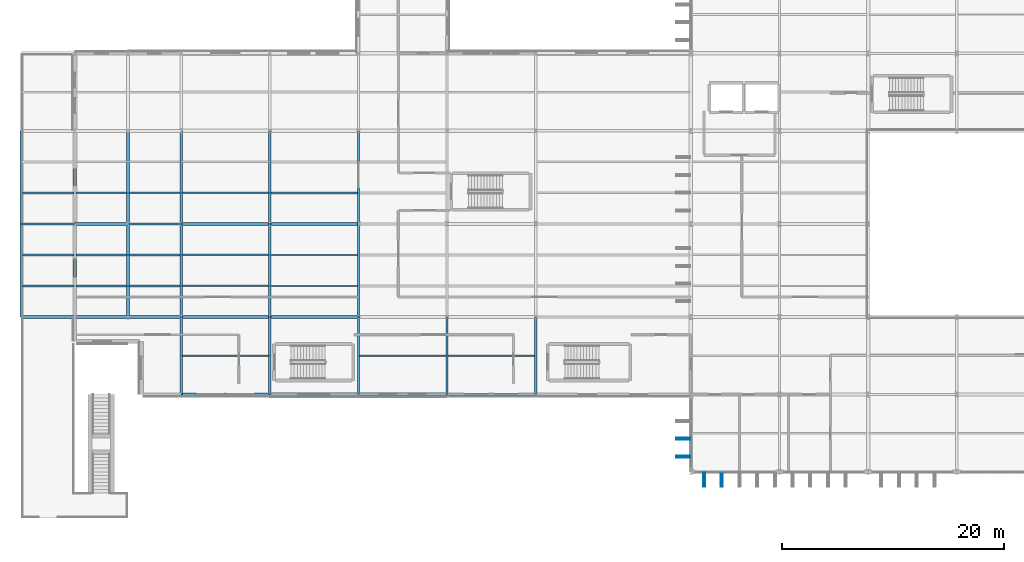
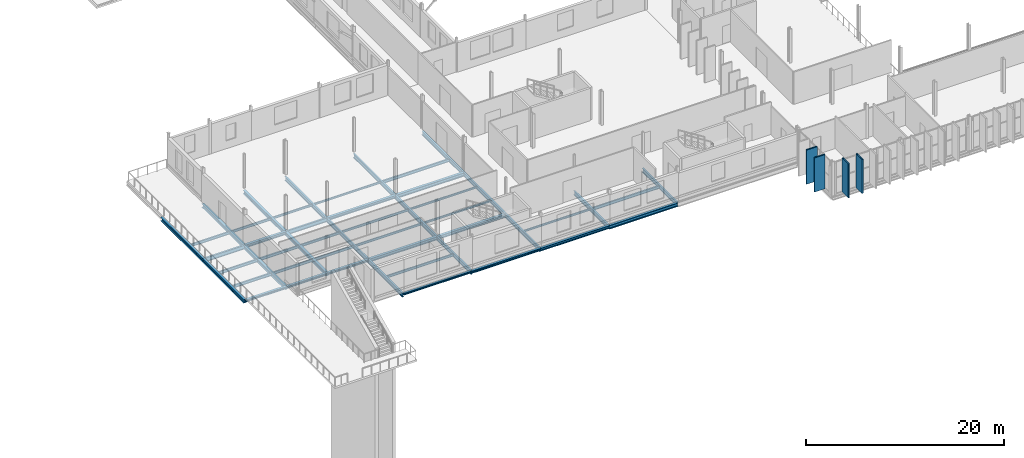
# One storey, part 17 of 101: 49 beams, 4 members.
"""IFC4 building model written with IfcOpenShell, lengths in metres."""

from ifc_helpers import new_model, si_unit, direction, frame, origin, origin_2d, place, context, subcontext, project, spatial, hollow_rectangle, i_section, extrude, material, material_profile, profile_set, type_object, element, save


model = new_model("IFC4")

# Units and contexts
model_context = context("Model", 3, precision=1e-05, world=origin(), true_north=direction((0.0, 1.0)))
body_context = subcontext(model_context, "Body", "Model", "MODEL_VIEW")
ifc_project = project(units=[si_unit("LENGTHUNIT", "METRE"), si_unit("AREAUNIT", "SQUARE_METRE"), si_unit("VOLUMEUNIT", "CUBIC_METRE"), si_unit("PLANEANGLEUNIT", "RADIAN"), si_unit("MASSUNIT", "GRAM", prefix="KILO")], contexts=[model_context])

# Site, building, storey
site_placement = place(None, origin())
site = spatial("IfcSite", under=ifc_project, at=site_placement, CompositionType="ELEMENT")
building_placement = place(site_placement, origin())
building = spatial("IfcBuilding", under=site, at=building_placement, Name="Vekula Escarpment Museum", CompositionType="ELEMENT")
storey_placement = place(building_placement, frame((0.0, 0.0, 18.0)))
storey = spatial("IfcBuildingStorey", under=building, at=storey_placement, Name="L04", CompositionType="ELEMENT", Elevation=18.0)

# Beams
ifc_material_1 = material(Name="Steel S355", Category="steel")
ifc_material_profile_1 = material_profile(ifc_material_1, i_section(OverallWidth=0.300048828125, OverallDepth=0.300048828125, WebThickness=0.010986328125, FlangeThickness=0.01904296875, FilletRadius=0.027099609375, at=origin_2d()), Name="HEB 300")
ifc_profile_set_1 = profile_set([ifc_material_profile_1], Name="Steel S355")
beam_type_1 = type_object("IfcBeamType", Name="BM-GIRD-HEB300", PredefinedType="BEAM", material=ifc_profile_set_1)
beam_1_placement = place(storey_placement, frame((32.0, 52.60009765625, -0.389892578125), z_axis=(1.0, 0.0, 0.0), x_axis=(0.0, 1.0, 0.0)))
element("IfcBeam", 1, at=beam_1_placement, inside=storey, type_object=beam_type_1, Name="Beam X L04 1691", PredefinedType="BEAM", context=body_context, shape_type="SweptSolid", body=[
    extrude(i_section(OverallWidth=0.300048828125, OverallDepth=0.300048828125, WebThickness=0.010986328125, FlangeThickness=0.01904296875, FilletRadius=0.027099609375, at=origin_2d()), origin(), (0.0, 0.0, 1.0), 8.0),
])
ifc_material_2 = material(Name="Steel S355", Category="steel")
ifc_material_profile_2 = material_profile(ifc_material_2, i_section(OverallWidth=0.300048828125, OverallDepth=0.360107421875, WebThickness=0.012451171875, FlangeThickness=0.0224609375, FilletRadius=0.027099609375, at=origin_2d()), Name="HEB 360")
ifc_profile_set_2 = profile_set([ifc_material_profile_2], Name="Steel S355")
beam_type_2 = type_object("IfcBeamType", Name="BM-GIRD-HEB360", PredefinedType="BEAM", material=ifc_profile_set_2)
beam_2_placement = place(storey_placement, frame((40.0, 52.60009765625, -0.419921875), z_axis=(1.0, 0.0, 0.0), x_axis=(0.0, 1.0, 0.0)))
element("IfcBeam", 2, at=beam_2_placement, inside=storey, type_object=beam_type_2, Name="Beam X L04 1692", PredefinedType="BEAM", context=body_context, shape_type="SweptSolid", body=[
    extrude(i_section(OverallWidth=0.300048828125, OverallDepth=0.360107421875, WebThickness=0.012451171875, FlangeThickness=0.0224609375, FilletRadius=0.027099609375, at=origin_2d()), origin(), (0.0, 0.0, 1.0), 8.0),
])
beam_3_placement = place(storey_placement, frame((14.39990234375, 68.0, -0.419921875), z_axis=(1.0, 0.0, 0.0), x_axis=(0.0, 1.0, 0.0)))
element("IfcBeam", 3, at=beam_3_placement, inside=storey, type_object=beam_type_2, Name="Beam X L04 1723", PredefinedType="BEAM", context=body_context, shape_type="SweptSolid", body=[
    extrude(i_section(OverallWidth=0.300048828125, OverallDepth=0.360107421875, WebThickness=0.012451171875, FlangeThickness=0.0224609375, FilletRadius=0.027099609375, at=origin_2d()), origin(), (0.0, 0.0, 1.0), 4.800048828125),
])
beam_4_placement = place(storey_placement, frame((24.0, 68.0, -0.419921875), z_axis=(1.0, 0.0, 0.0), x_axis=(0.0, 1.0, 0.0)))
element("IfcBeam", 4, at=beam_4_placement, inside=storey, type_object=beam_type_2, Name="Beam X L04 1725", PredefinedType="BEAM", context=body_context, shape_type="SweptSolid", body=[
    extrude(i_section(OverallWidth=0.300048828125, OverallDepth=0.360107421875, WebThickness=0.012451171875, FlangeThickness=0.0224609375, FilletRadius=0.027099609375, at=origin_2d()), origin(), (0.0, 0.0, 1.0), 8.0),
])
ifc_material_3 = material(Name="Steel S355", Category="steel")
ifc_material_profile_3 = material_profile(ifc_material_3, i_section(OverallWidth=0.300048828125, OverallDepth=0.449951171875, WebThickness=0.013916015625, FlangeThickness=0.02587890625, FilletRadius=0.027099609375, at=origin_2d()), Name="HEB 450")
ifc_profile_set_3 = profile_set([ifc_material_profile_3], Name="Steel S355")
beam_type_3 = type_object("IfcBeamType", Name="BM-GIRD-HEB450", PredefinedType="BEAM", material=ifc_profile_set_3)
for number, where, z_axis, x_axis, name in (
    (5, (48.0, 52.60009765625, -0.465087890625), (1.0, 0.0, 0.0), (0.0, 1.0, 0.0), "Beam X L04 1693"),
    (6, (32.0, 68.0, -0.465087890625), (1.0, 0.0, 0.0), (0.0, 1.0, 0.0), "Beam X L04 1726"),
):
    element("IfcBeam", number, at=place(storey_placement, frame(where, z_axis=z_axis, x_axis=x_axis)), inside=storey, type_object=beam_type_3, Name=name, PredefinedType="BEAM", context=body_context, shape_type="SweptSolid", body=[
        extrude(i_section(OverallWidth=0.300048828125, OverallDepth=0.449951171875, WebThickness=0.013916015625, FlangeThickness=0.02587890625, FilletRadius=0.027099609375, at=origin_2d()), origin(), (0.0, 0.0, 1.0), 8.0),
    ])
ifc_material_4 = material(Name="Steel S355", Category="steel")
ifc_material_profile_4 = material_profile(ifc_material_4, i_section(OverallWidth=0.199951171875, OverallDepth=0.5, WebThickness=0.01025390625, FlangeThickness=0.01611328125, FilletRadius=0.02099609375, at=origin_2d()), Name="IPE 500")
ifc_profile_set_4 = profile_set([ifc_material_profile_4], Name="Steel S355")
beam_type_4 = type_object("IfcBeamType", Name="BM-GIRD-IPE500", PredefinedType="BEAM", material=ifc_profile_set_4)
beam_5_placement = place(storey_placement, frame((9.60009765625, 68.0, -0.489990234375), z_axis=(1.0, 0.0, 0.0), x_axis=(0.0, 1.0, 0.0)))
element("IfcBeam", 7, at=beam_5_placement, inside=storey, type_object=beam_type_4, Name="Beam X L04 1722", PredefinedType="BEAM", context=body_context, shape_type="SweptSolid", body=[
    extrude(i_section(OverallWidth=0.199951171875, OverallDepth=0.5, WebThickness=0.01025390625, FlangeThickness=0.01611328125, FilletRadius=0.02099609375, at=origin_2d()), origin(), (0.0, 0.0, 1.0), 4.7998046875),
])
beam_6_placement = place(storey_placement, frame((19.199951171875, 68.0, -0.489990234375), z_axis=(1.0, 0.0, 0.0), x_axis=(0.0, 1.0, 0.0)))
element("IfcBeam", 8, at=beam_6_placement, inside=storey, type_object=beam_type_4, Name="Beam X L04 1724", PredefinedType="BEAM", context=body_context, shape_type="SweptSolid", body=[
    extrude(i_section(OverallWidth=0.199951171875, OverallDepth=0.5, WebThickness=0.01025390625, FlangeThickness=0.01611328125, FilletRadius=0.02099609375, at=origin_2d()), origin(), (0.0, 0.0, 1.0), 4.800048828125),
])
beam_7_placement = place(storey_placement, frame((24.0, 52.60009765625, -0.489990234375), z_axis=(0.0, 1.0, 0.0), x_axis=(-1.0, 0.0, 0.0)))
element("IfcBeam", 9, at=beam_7_placement, inside=storey, type_object=beam_type_4, Name="Beam Y L04 1831", PredefinedType="BEAM", context=body_context, shape_type="SweptSolid", body=[
    extrude(i_section(OverallWidth=0.199951171875, OverallDepth=0.5, WebThickness=0.01025390625, FlangeThickness=0.01611328125, FilletRadius=0.02099609375, at=origin_2d()), origin(), (0.0, 0.0, 1.0), 7.0),
])
for number, where, z_axis, x_axis, name in (
    (10, (24.0, 59.60009765625, -0.489990234375), (0.0, 1.0, 0.0), (-1.0, 0.0, 0.0), "Beam Y L04 1832"),
    (11, (24.0, 68.0, -0.489990234375), (0.0, 1.0, 0.0), (-1.0, 0.0, 0.0), "Beam Y L04 1833"),
):
    element("IfcBeam", number, at=place(storey_placement, frame(where, z_axis=z_axis, x_axis=x_axis)), inside=storey, type_object=beam_type_4, Name=name, PredefinedType="BEAM", context=body_context, shape_type="SweptSolid", body=[
        extrude(i_section(OverallWidth=0.199951171875, OverallDepth=0.5, WebThickness=0.01025390625, FlangeThickness=0.01611328125, FilletRadius=0.02099609375, at=origin_2d()), origin(), (0.0, 0.0, 1.0), 8.39990234375),
    ])
beam_8_placement = place(storey_placement, frame((32.0, 52.60009765625, -0.489990234375), z_axis=(0.0, 1.0, 0.0), x_axis=(-1.0, 0.0, 0.0)))
element("IfcBeam", 12, at=beam_8_placement, inside=storey, type_object=beam_type_4, Name="Beam Y L04 1837", PredefinedType="BEAM", context=body_context, shape_type="SweptSolid", body=[
    extrude(i_section(OverallWidth=0.199951171875, OverallDepth=0.5, WebThickness=0.01025390625, FlangeThickness=0.01611328125, FilletRadius=0.02099609375, at=origin_2d()), origin(), (0.0, 0.0, 1.0), 7.0),
])
for number, where, z_axis, x_axis, name in (
    (13, (32.0, 59.60009765625, -0.489990234375), (0.0, 1.0, 0.0), (-1.0, 0.0, 0.0), "Beam Y L04 1838"),
    (14, (32.0, 68.0, -0.489990234375), (0.0, 1.0, 0.0), (-1.0, 0.0, 0.0), "Beam Y L04 1839"),
):
    element("IfcBeam", number, at=place(storey_placement, frame(where, z_axis=z_axis, x_axis=x_axis)), inside=storey, type_object=beam_type_4, Name=name, PredefinedType="BEAM", context=body_context, shape_type="SweptSolid", body=[
        extrude(i_section(OverallWidth=0.199951171875, OverallDepth=0.5, WebThickness=0.01025390625, FlangeThickness=0.01611328125, FilletRadius=0.02099609375, at=origin_2d()), origin(), (0.0, 0.0, 1.0), 8.39990234375),
    ])
beam_9_placement = place(storey_placement, frame((40.0, 52.60009765625, -0.489990234375), z_axis=(0.0, 1.0, 0.0), x_axis=(-1.0, 0.0, 0.0)))
element("IfcBeam", 15, at=beam_9_placement, inside=storey, type_object=beam_type_4, Name="Beam Y L04 1844", PredefinedType="BEAM", context=body_context, shape_type="SweptSolid", body=[
    extrude(i_section(OverallWidth=0.199951171875, OverallDepth=0.5, WebThickness=0.01025390625, FlangeThickness=0.01611328125, FilletRadius=0.02099609375, at=origin_2d()), origin(), (0.0, 0.0, 1.0), 7.0),
])
for number, where, z_axis, x_axis, name in (
    (16, (40.0, 59.60009765625, -0.489990234375), (0.0, 1.0, 0.0), (-1.0, 0.0, 0.0), "Beam Y L04 1845"),
    (17, (40.0, 68.0, -0.489990234375), (0.0, 1.0, 0.0), (-1.0, 0.0, 0.0), "Beam Y L04 1846"),
):
    element("IfcBeam", number, at=place(storey_placement, frame(where, z_axis=z_axis, x_axis=x_axis)), inside=storey, type_object=beam_type_4, Name=name, PredefinedType="BEAM", context=body_context, shape_type="SweptSolid", body=[
        extrude(i_section(OverallWidth=0.199951171875, OverallDepth=0.5, WebThickness=0.01025390625, FlangeThickness=0.01611328125, FilletRadius=0.02099609375, at=origin_2d()), origin(), (0.0, 0.0, 1.0), 8.39990234375),
    ])
for number, where, z_axis, x_axis, name in (
    (18, (48.0, 52.60009765625, -0.489990234375), (0.0, 1.0, 0.0), (-1.0, 0.0, 0.0), "Beam Y L04 1855"),
    (19, (56.0, 52.60009765625, -0.489990234375), (0.0, 1.0, 0.0), (-1.0, 0.0, 0.0), "Beam Y L04 1866"),
):
    element("IfcBeam", number, at=place(storey_placement, frame(where, z_axis=z_axis, x_axis=x_axis)), inside=storey, type_object=beam_type_4, Name=name, PredefinedType="BEAM", context=body_context, shape_type="SweptSolid", body=[
        extrude(i_section(OverallWidth=0.199951171875, OverallDepth=0.5, WebThickness=0.01025390625, FlangeThickness=0.01611328125, FilletRadius=0.02099609375, at=origin_2d()), origin(), (0.0, 0.0, 1.0), 7.0),
    ])
ifc_material_5 = material(Name="Steel S355", Category="steel")
ifc_material_profile_5 = material_profile(ifc_material_5, i_section(OverallWidth=0.1201171875, OverallDepth=0.239990234375, WebThickness=0.006103515625, FlangeThickness=0.009765625, FilletRadius=0.014892578125, at=origin_2d()), Name="IPE 240")
ifc_profile_set_5 = profile_set([ifc_material_profile_5], Name="Steel S355")
beam_type_5 = type_object("IfcBeamType", Name="BM-JST-IPE240", PredefinedType="JOIST", material=ifc_profile_set_5)
for number, where, z_axis, x_axis, name in (
    (20, (24.090087890625, 70.800048828125, -0.360107421875), (1.0, 0.0, 0.0), (0.0, 1.0, 0.0), "Secondary Joist L04 1151"),
    (21, (32.090087890625, 62.39990234375, -0.360107421875), (1.0, 0.0, 0.0), (0.0, 1.0, 0.0), "Secondary Joist L04 1158"),
    (22, (32.090087890625, 65.199951171875, -0.360107421875), (1.0, 0.0, 0.0), (0.0, 1.0, 0.0), "Secondary Joist L04 1159"),
    (23, (40.090087890625, 56.10009765625, -0.360107421875), (1.0, 0.0, 0.0), (0.0, 1.0, 0.0), "Secondary Joist L04 1165"),
):
    element("IfcBeam", number, at=place(storey_placement, frame(where, z_axis=z_axis, x_axis=x_axis)), inside=storey, type_object=beam_type_5, Name=name, PredefinedType="JOIST", context=body_context, shape_type="SweptSolid", body=[
        extrude(i_section(OverallWidth=0.1201171875, OverallDepth=0.239990234375, WebThickness=0.006103515625, FlangeThickness=0.009765625, FilletRadius=0.014892578125, at=origin_2d()), origin(), (0.0, 0.0, 1.0), 7.81982421875),
    ])
ifc_material_6 = material(Name="Steel S355", Category="steel")
ifc_material_profile_6 = material_profile(ifc_material_6, i_section(OverallWidth=0.135009765625, OverallDepth=0.27001953125, WebThickness=0.006591796875, FlangeThickness=0.01025390625, FilletRadius=0.014892578125, at=origin_2d()), Name="IPE 270")
ifc_profile_set_6 = profile_set([ifc_material_profile_6], Name="Steel S355")
beam_type_6 = type_object("IfcBeamType", Name="BM-JST-IPE270", PredefinedType="JOIST", material=ifc_profile_set_6)
beam_10_placement = place(storey_placement, frame((19.2900390625, 70.800048828125, -0.375), z_axis=(1.0, 0.0, 0.0), x_axis=(0.0, 1.0, 0.0)))
element("IfcBeam", 24, at=beam_10_placement, inside=storey, type_object=beam_type_6, Name="Secondary Joist L04 1145", PredefinedType="JOIST", context=body_context, shape_type="SweptSolid", body=[
    extrude(i_section(OverallWidth=0.135009765625, OverallDepth=0.27001953125, WebThickness=0.006591796875, FlangeThickness=0.01025390625, FilletRadius=0.014892578125, at=origin_2d()), origin(), (0.0, 0.0, 1.0), 4.619873046875),
])
for number, where, z_axis, x_axis, name in (
    (25, (24.090087890625, 62.39990234375, -0.375), (1.0, 0.0, 0.0), (0.0, 1.0, 0.0), "Secondary Joist L04 1149"),
    (26, (24.090087890625, 65.199951171875, -0.375), (1.0, 0.0, 0.0), (0.0, 1.0, 0.0), "Secondary Joist L04 1150"),
):
    element("IfcBeam", number, at=place(storey_placement, frame(where, z_axis=z_axis, x_axis=x_axis)), inside=storey, type_object=beam_type_6, Name=name, PredefinedType="JOIST", context=body_context, shape_type="SweptSolid", body=[
        extrude(i_section(OverallWidth=0.135009765625, OverallDepth=0.27001953125, WebThickness=0.006591796875, FlangeThickness=0.01025390625, FilletRadius=0.014892578125, at=origin_2d()), origin(), (0.0, 0.0, 1.0), 7.81982421875),
    ])
ifc_material_7 = material(Name="Steel S355", Category="steel")
ifc_material_profile_7 = material_profile(ifc_material_7, i_section(OverallWidth=0.14990234375, OverallDepth=0.300048828125, WebThickness=0.007080078125, FlangeThickness=0.0107421875, FilletRadius=0.014892578125, at=origin_2d()), Name="IPE 300")
ifc_profile_set_7 = profile_set([ifc_material_profile_7], Name="Steel S355")
beam_type_7 = type_object("IfcBeamType", Name="BM-JST-IPE300", PredefinedType="JOIST", material=ifc_profile_set_7)
beam_11_placement = place(storey_placement, frame((14.489990234375, 70.800048828125, -0.389892578125), z_axis=(1.0, 0.0, 0.0), x_axis=(0.0, 1.0, 0.0)))
element("IfcBeam", 27, at=beam_11_placement, inside=storey, type_object=beam_type_7, Name="Secondary Joist L04 1140", PredefinedType="JOIST", context=body_context, shape_type="SweptSolid", body=[
    extrude(i_section(OverallWidth=0.14990234375, OverallDepth=0.300048828125, WebThickness=0.007080078125, FlangeThickness=0.0107421875, FilletRadius=0.014892578125, at=origin_2d()), origin(), (0.0, 0.0, 1.0), 4.6201171875),
])
for number, where, z_axis, x_axis, name in (
    (28, (19.2900390625, 62.39990234375, -0.389892578125), (1.0, 0.0, 0.0), (0.0, 1.0, 0.0), "Secondary Joist L04 1143"),
    (29, (19.2900390625, 65.199951171875, -0.389892578125), (1.0, 0.0, 0.0), (0.0, 1.0, 0.0), "Secondary Joist L04 1144"),
):
    element("IfcBeam", number, at=place(storey_placement, frame(where, z_axis=z_axis, x_axis=x_axis)), inside=storey, type_object=beam_type_7, Name=name, PredefinedType="JOIST", context=body_context, shape_type="SweptSolid", body=[
        extrude(i_section(OverallWidth=0.14990234375, OverallDepth=0.300048828125, WebThickness=0.007080078125, FlangeThickness=0.0107421875, FilletRadius=0.014892578125, at=origin_2d()), origin(), (0.0, 0.0, 1.0), 4.619873046875),
    ])
beam_12_placement = place(storey_placement, frame((24.090087890625, 56.10009765625, -0.389892578125), z_axis=(1.0, 0.0, 0.0), x_axis=(0.0, 1.0, 0.0)))
element("IfcBeam", 30, at=beam_12_placement, inside=storey, type_object=beam_type_7, Name="Secondary Joist L04 1148", PredefinedType="JOIST", context=body_context, shape_type="SweptSolid", body=[
    extrude(i_section(OverallWidth=0.14990234375, OverallDepth=0.300048828125, WebThickness=0.007080078125, FlangeThickness=0.0107421875, FilletRadius=0.014892578125, at=origin_2d()), origin(), (0.0, 0.0, 1.0), 7.81982421875),
])
ifc_material_8 = material(Name="Steel S355", Category="steel")
ifc_material_profile_8 = material_profile(ifc_material_8, i_section(OverallWidth=0.159912109375, OverallDepth=0.330078125, WebThickness=0.007568359375, FlangeThickness=0.011474609375, FilletRadius=0.01806640625, at=origin_2d()), Name="IPE 330")
ifc_profile_set_8 = profile_set([ifc_material_profile_8], Name="Steel S355")
beam_type_8 = type_object("IfcBeamType", Name="BM-JST-IPE330", PredefinedType="JOIST", material=ifc_profile_set_8)
for number, where, z_axis, x_axis, name in (
    (31, (9.68994140625, 70.800048828125, -0.405029296875), (1.0, 0.0, 0.0), (0.0, 1.0, 0.0), "Secondary Joist L04 1135"),
    (32, (14.489990234375, 62.39990234375, -0.405029296875), (1.0, 0.0, 0.0), (0.0, 1.0, 0.0), "Secondary Joist L04 1138"),
    (33, (14.489990234375, 65.199951171875, -0.405029296875), (1.0, 0.0, 0.0), (0.0, 1.0, 0.0), "Secondary Joist L04 1139"),
):
    element("IfcBeam", number, at=place(storey_placement, frame(where, z_axis=z_axis, x_axis=x_axis)), inside=storey, type_object=beam_type_8, Name=name, PredefinedType="JOIST", context=body_context, shape_type="SweptSolid", body=[
        extrude(i_section(OverallWidth=0.159912109375, OverallDepth=0.330078125, WebThickness=0.007568359375, FlangeThickness=0.011474609375, FilletRadius=0.01806640625, at=origin_2d()), origin(), (0.0, 0.0, 1.0), 4.6201171875),
    ])
ifc_material_9 = material(Name="Steel S355", Category="steel")
ifc_material_profile_9 = material_profile(ifc_material_9, i_section(OverallWidth=0.169921875, OverallDepth=0.360107421875, WebThickness=0.008056640625, FlangeThickness=0.0126953125, FilletRadius=0.01806640625, at=origin_2d()), Name="IPE 360")
ifc_profile_set_9 = profile_set([ifc_material_profile_9], Name="Steel S355")
beam_type_9 = type_object("IfcBeamType", Name="BM-JST-IPE360", PredefinedType="JOIST", material=ifc_profile_set_9)
for number, where, z_axis, x_axis, name in (
    (34, (9.68994140625, 62.39990234375, -0.419921875), (1.0, 0.0, 0.0), (0.0, 1.0, 0.0), "Secondary Joist L04 1133"),
    (35, (9.68994140625, 65.199951171875, -0.419921875), (1.0, 0.0, 0.0), (0.0, 1.0, 0.0), "Secondary Joist L04 1134"),
):
    element("IfcBeam", number, at=place(storey_placement, frame(where, z_axis=z_axis, x_axis=x_axis)), inside=storey, type_object=beam_type_9, Name=name, PredefinedType="JOIST", context=body_context, shape_type="SweptSolid", body=[
        extrude(i_section(OverallWidth=0.169921875, OverallDepth=0.360107421875, WebThickness=0.008056640625, FlangeThickness=0.0126953125, FilletRadius=0.01806640625, at=origin_2d()), origin(), (0.0, 0.0, 1.0), 4.6201171875),
    ])
for number, where, z_axis, x_axis, name in (
    (36, (32.090087890625, 70.800048828125, -0.419921875), (1.0, 0.0, 0.0), (0.0, 1.0, 0.0), "Secondary Joist L04 1160"),
    (37, (48.090087890625, 56.10009765625, -0.419921875), (1.0, 0.0, 0.0), (0.0, 1.0, 0.0), "Secondary Joist L04 1184"),
):
    element("IfcBeam", number, at=place(storey_placement, frame(where, z_axis=z_axis, x_axis=x_axis)), inside=storey, type_object=beam_type_9, Name=name, PredefinedType="JOIST", context=body_context, shape_type="SweptSolid", body=[
        extrude(i_section(OverallWidth=0.169921875, OverallDepth=0.360107421875, WebThickness=0.008056640625, FlangeThickness=0.0126953125, FilletRadius=0.01806640625, at=origin_2d()), origin(), (0.0, 0.0, 1.0), 7.81982421875),
    ])
ifc_material_10 = material(Name="Steel S355", Category="steel")
ifc_material_profile_10 = material_profile(ifc_material_10, i_section(OverallWidth=0.239990234375, OverallDepth=0.22998046875, WebThickness=0.007568359375, FlangeThickness=0.011962890625, FilletRadius=0.02099609375, at=origin_2d()), Name="HEA 240")
ifc_profile_set_10 = profile_set([ifc_material_profile_10], Name="Steel S355")
beam_type_10 = type_object("IfcBeamType", Name="BM-SPAN-HEA240", PredefinedType="SPANDREL", material=ifc_profile_set_10)
beam_13_placement = place(storey_placement, frame((24.0, 52.60009765625, -0.35498046875), z_axis=(1.0, 0.0, 0.0), x_axis=(0.0, 1.0, 0.0)))
element("IfcBeam", 38, at=beam_13_placement, inside=storey, type_object=beam_type_10, Name="Beam X L04 1690", PredefinedType="SPANDREL", context=body_context, shape_type="SweptSolid", body=[
    extrude(i_section(OverallWidth=0.239990234375, OverallDepth=0.22998046875, WebThickness=0.007568359375, FlangeThickness=0.011962890625, FilletRadius=0.02099609375, at=origin_2d()), origin(), (0.0, 0.0, 1.0), 8.0),
])
ifc_material_11 = material(Name="Steel S355", Category="steel")
ifc_material_profile_11 = material_profile(ifc_material_11, i_section(OverallWidth=0.280029296875, OverallDepth=0.27001953125, WebThickness=0.008056640625, FlangeThickness=0.012939453125, FilletRadius=0.02392578125, at=origin_2d()), Name="HEA 280")
ifc_profile_set_11 = profile_set([ifc_material_profile_11], Name="Steel S355")
beam_type_11 = type_object("IfcBeamType", Name="BM-SPAN-HEA280", PredefinedType="SPANDREL", material=ifc_profile_set_11)
beam_14_placement = place(storey_placement, frame((9.60009765625, 59.60009765625, -0.375), z_axis=(1.0, 0.0, 0.0), x_axis=(0.0, 1.0, 0.0)))
element("IfcBeam", 39, at=beam_14_placement, inside=storey, type_object=beam_type_11, Name="Beam X L04 1704", PredefinedType="SPANDREL", context=body_context, shape_type="SweptSolid", body=[
    extrude(i_section(OverallWidth=0.280029296875, OverallDepth=0.27001953125, WebThickness=0.008056640625, FlangeThickness=0.012939453125, FilletRadius=0.02392578125, at=origin_2d()), origin(), (0.0, 0.0, 1.0), 4.7998046875),
])
for number, where, z_axis, x_axis, name in (
    (40, (14.39990234375, 59.60009765625, -0.375), (1.0, 0.0, 0.0), (0.0, 1.0, 0.0), "Beam X L04 1705"),
    (41, (19.199951171875, 59.60009765625, -0.375), (1.0, 0.0, 0.0), (0.0, 1.0, 0.0), "Beam X L04 1706"),
):
    element("IfcBeam", number, at=place(storey_placement, frame(where, z_axis=z_axis, x_axis=x_axis)), inside=storey, type_object=beam_type_11, Name=name, PredefinedType="SPANDREL", context=body_context, shape_type="SweptSolid", body=[
        extrude(i_section(OverallWidth=0.280029296875, OverallDepth=0.27001953125, WebThickness=0.008056640625, FlangeThickness=0.012939453125, FilletRadius=0.02392578125, at=origin_2d()), origin(), (0.0, 0.0, 1.0), 4.800048828125),
    ])
ifc_material_12 = material(Name="Steel S355", Category="steel")
ifc_material_profile_12 = material_profile(ifc_material_12, i_section(OverallWidth=0.300048828125, OverallDepth=0.389892578125, WebThickness=0.010986328125, FlangeThickness=0.01904296875, FilletRadius=0.027099609375, at=origin_2d()), Name="HEA 400")
ifc_profile_set_12 = profile_set([ifc_material_profile_12], Name="Steel S355")
beam_type_12 = type_object("IfcBeamType", Name="BM-SPAN-HEA400", PredefinedType="SPANDREL", material=ifc_profile_set_12)
for number, where, z_axis, x_axis, name in (
    (42, (24.0, 59.60009765625, -0.43505859375), (1.0, 0.0, 0.0), (0.0, 1.0, 0.0), "Beam X L04 1707"),
    (43, (32.0, 59.60009765625, -0.43505859375), (1.0, 0.0, 0.0), (0.0, 1.0, 0.0), "Beam X L04 1708"),
):
    element("IfcBeam", number, at=place(storey_placement, frame(where, z_axis=z_axis, x_axis=x_axis)), inside=storey, type_object=beam_type_12, Name=name, PredefinedType="SPANDREL", context=body_context, shape_type="SweptSolid", body=[
        extrude(i_section(OverallWidth=0.300048828125, OverallDepth=0.389892578125, WebThickness=0.010986328125, FlangeThickness=0.01904296875, FilletRadius=0.027099609375, at=origin_2d()), origin(), (0.0, 0.0, 1.0), 8.0),
    ])
ifc_material_13 = material(Name="Steel S355", Category="steel")
ifc_material_profile_13 = material_profile(ifc_material_13, i_section(OverallWidth=0.300048828125, OverallDepth=0.43994140625, WebThickness=0.011474609375, FlangeThickness=0.02099609375, FilletRadius=0.027099609375, at=origin_2d()), Name="HEA 450")
ifc_profile_set_13 = profile_set([ifc_material_profile_13], Name="Steel S355")
beam_type_13 = type_object("IfcBeamType", Name="BM-SPAN-HEA450", PredefinedType="SPANDREL", material=ifc_profile_set_13)
for number, where, z_axis, x_axis, name in (
    (44, (9.60009765625, 59.60009765625, -0.43994140625), (0.0, 1.0, 0.0), (-1.0, 0.0, 0.0), "Beam Y L04 1822"),
    (45, (9.60009765625, 68.0, -0.43994140625), (0.0, 1.0, 0.0), (-1.0, 0.0, 0.0), "Beam Y L04 1823"),
    (46, (14.39990234375, 59.60009765625, -0.4599609375), (0.0, 1.0, 0.0), (-1.0, 0.0, 0.0), "Beam Y L04 1825"),
    (47, (14.39990234375, 68.0, -0.4599609375), (0.0, 1.0, 0.0), (-1.0, 0.0, 0.0), "Beam Y L04 1826"),
    (48, (19.199951171875, 59.60009765625, -0.4599609375), (0.0, 1.0, 0.0), (-1.0, 0.0, 0.0), "Beam Y L04 1828"),
    (49, (19.199951171875, 68.0, -0.4599609375), (0.0, 1.0, 0.0), (-1.0, 0.0, 0.0), "Beam Y L04 1829"),
):
    element("IfcBeam", number, at=place(storey_placement, frame(where, z_axis=z_axis, x_axis=x_axis)), inside=storey, type_object=beam_type_13, Name=name, PredefinedType="SPANDREL", context=body_context, shape_type="SweptSolid", body=[
        extrude(i_section(OverallWidth=0.300048828125, OverallDepth=0.43994140625, WebThickness=0.011474609375, FlangeThickness=0.02099609375, FilletRadius=0.027099609375, at=origin_2d()), origin(), (0.0, 0.0, 1.0), 8.39990234375),
    ])

# Members
ifc_material_14 = material(Name="Steel S355 weathered bronze solar fin", Category="steel")
ifc_material_profile_14 = material_profile(ifc_material_14, hollow_rectangle(XDim=0.179931640625, YDim=1.25, WallThickness=0.010009765625, InnerFilletRadius=0.010009765625, OuterFilletRadius=0.02001953125, at=origin_2d()), Name="RHS 1250x180x10")
ifc_profile_set_14 = profile_set([ifc_material_profile_14], Name="Steel S355 weathered bronze solar fin")
member_type = type_object("IfcMemberType", Name="MB-SOLAR-FIN", PredefinedType="USERDEFINED", material=ifc_profile_set_14)
for number, where, z_axis, x_axis, name in (
    (50, (71.199951171875, 44.919921875, 0.0), (0.0, 0.0, 1.0), (1.0, 0.0, 0.0), "Great Hall Vertical Solar Fin 0004"),
    (51, (72.800048828125, 44.919921875, 0.0), (0.0, 0.0, 1.0), (1.0, 0.0, 0.0), "Great Hall Vertical Solar Fin 0009"),
    (52, (69.320068359375, 47.0, 0.0), (0.0, 0.0, 1.0), (0.0, 1.0, 0.0), "Great Hall Vertical Solar Fin 0284"),
    (53, (69.320068359375, 48.60009765625, 0.0), (0.0, 0.0, 1.0), (0.0, 1.0, 0.0), "Great Hall Vertical Solar Fin 0289"),
):
    element("IfcMember", number, at=place(storey_placement, frame(where, z_axis=z_axis, x_axis=x_axis)), inside=storey, type_object=member_type, Name=name, ObjectType="SOLAR FIN", PredefinedType="USERDEFINED", context=body_context, shape_type="SweptSolid", body=[
        extrude(hollow_rectangle(XDim=0.179931640625, YDim=1.25, WallThickness=0.010009765625, InnerFilletRadius=0.010009765625, OuterFilletRadius=0.02001953125, at=origin_2d()), origin(), (0.0, 0.0, 1.0), 4.199951171875),
    ])

save(model, "model.ifc")
